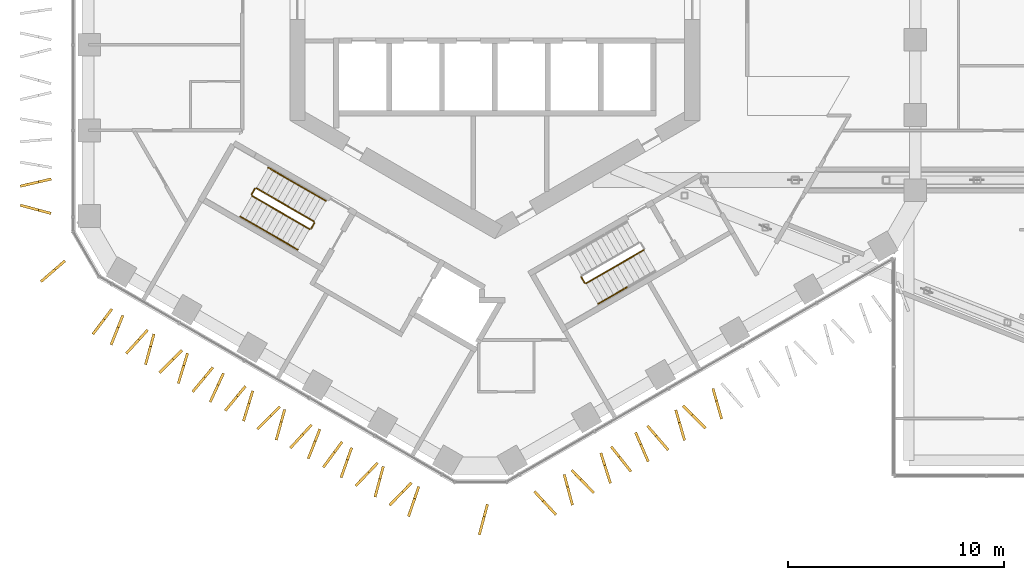
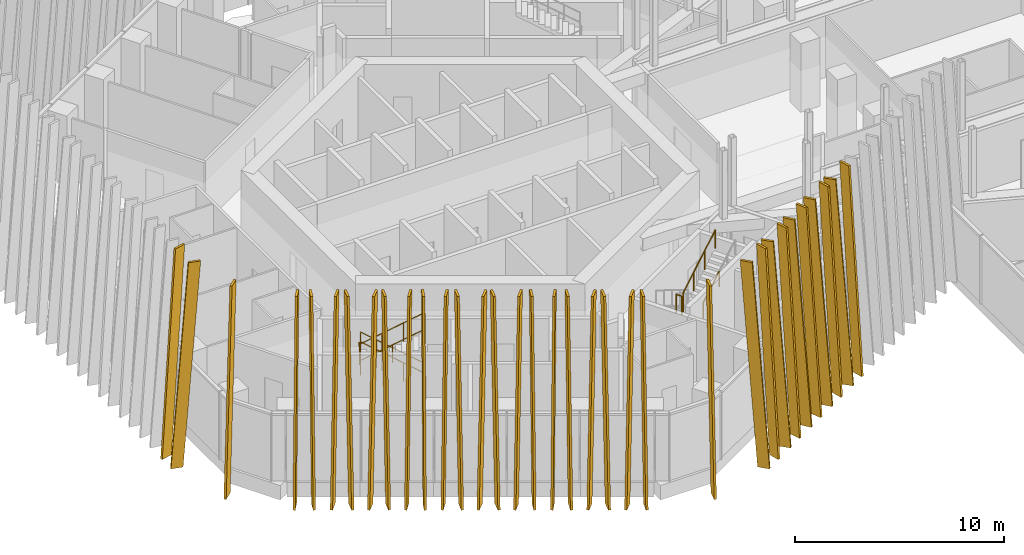
# One storey, part 25 of 28: 34 shading devices, 11 railings.
"""IFC4 building model written with IfcOpenShell, lengths in metres."""

from ifc_helpers import new_model, si_unit, direction, frame, origin, origin_2d, place, context, subcontext, project, spatial, polyline, circle, outline, extrude, material, layer, layer_set, type_object, element, save


model = new_model("IFC4")

# Units and contexts
model_context = context("Model", 3, precision=1e-05, world=origin(), true_north=direction((0.0, 1.0)))
body_context = subcontext(model_context, "Body", "Model", "MODEL_VIEW")
ifc_project = project(units=[si_unit("LENGTHUNIT", "METRE"), si_unit("AREAUNIT", "SQUARE_METRE"), si_unit("VOLUMEUNIT", "CUBIC_METRE"), si_unit("PLANEANGLEUNIT", "RADIAN"), si_unit("MASSUNIT", "GRAM", prefix="KILO")], contexts=[model_context])

# Site, building, storey
site_placement = place(None, origin())
site = spatial("IfcSite", under=ifc_project, at=site_placement, CompositionType="ELEMENT")
building_placement = place(site_placement, origin())
building = spatial("IfcBuilding", under=site, at=building_placement, Name="Ayvan Gate Tower", CompositionType="ELEMENT")
storey_placement = place(building_placement, frame((0.0, 0.0, 120.5)))
storey = spatial("IfcBuildingStorey", under=building, at=storey_placement, Name="L32", CompositionType="ELEMENT", Elevation=120.5)

# Shading devices
ifc_material_1 = material(Name="Bronze anodised aluminium", Category="aluminium")
ifc_layer = layer(ifc_material_1, 0.1201171875)
ifc_layer_set = layer_set([ifc_layer], Name="Bronze anodised aluminium")
shading_device_type = type_object("IfcShadingDeviceType", Name="Bronze fin 600 x 120", PredefinedType="USERDEFINED", material=ifc_layer_set)
shading_device_1_placement = place(storey_placement, frame((-21.419677734375, -8.337890625, 0.0), z_axis=(-0.227859842842, 0.973693935574, 0.000108839165), x_axis=(-0.973693941341, -0.227859844192, 0.0)))
element("IfcShadingDevice", 1, at=shading_device_1_placement, inside=storey, type_object=shading_device_type, Name="Bronze fin FG11.10.133", ObjectType="FIN", PredefinedType="USERDEFINED", context=body_context, shape_type="SweptSolid", body=[
    extrude(outline(polyline([(0.0, 0.0), (0.6000124790960213, 3.3881317890172014e-21), (-0.2712450634356124, 11.879882882864333), (-0.8712575425316337, 11.879882882864333), (0.0, 0.0)])), origin(), (0.0, 0.0, -1.0), 0.1201171875),
])
shading_device_2_placement = place(storey_placement, frame((-21.39306640625, -9.510498046875, 0.0), z_axis=(0.257156107751, 0.966369866946, 0.000128473028), x_axis=(-0.966369874921, 0.257156109874, 0.0)))
element("IfcShadingDevice", 2, at=shading_device_2_placement, inside=storey, type_object=shading_device_type, Name="Bronze fin FG11.10.134", ObjectType="FIN", PredefinedType="USERDEFINED", context=body_context, shape_type="SweptSolid", body=[
    extrude(outline(polyline([(0.0, 0.0), (0.6000124790960213, -3.3881317890172014e-21), (-0.2714854638362403, 11.87988291054063), (-0.8714979429322616, 11.87988291054063), (0.0, 0.0)])), origin(), (0.0, 0.0, -1.0), 0.1201171875),
])
shading_device_3_placement = place(storey_placement, frame((-20.620361328125, -12.51708984375, 0.0), z_axis=(-0.655936895439, 0.754815720247, 0.000132926868), x_axis=(-0.754815726916, -0.655936901234, 0.0)))
element("IfcShadingDevice", 3, at=shading_device_3_placement, inside=storey, type_object=shading_device_type, Name="Bronze fin FG11.11.135", ObjectType="FIN", PredefinedType="USERDEFINED", context=body_context, shape_type="SweptSolid", body=[
    extrude(outline(polyline([(0.0, 0.0), (0.5999886372602912, 6.776263578034403e-21), (-0.2712910093465573, 11.879882917456108), (-0.8712796466068484, 11.879882917456108), (0.0, 0.0)])), origin(), (0.0, 0.0, -1.0), 0.1201171875),
])
shading_device_4_placement = place(storey_placement, frame((-18.317138671875, -14.880126953125, 0.0), z_axis=(-0.799902334143, 0.600130184568, 0.00013191852), x_axis=(-0.60013018979, -0.799902341103, 0.0)))
element("IfcShadingDevice", 4, at=shading_device_4_placement, inside=storey, type_object=shading_device_type, Name="Bronze fin FG11.12.136", ObjectType="FIN", PredefinedType="USERDEFINED", context=body_context, shape_type="SweptSolid", body=[
    extrude(outline(polyline([(0.0, 0.0), (0.6000488360716393, 0.0), (-0.2712893211463244, 11.87988291586981), (-0.8713381572179637, 11.87988291586981), (0.0, 0.0)])), origin(), (0.0, 0.0, -1.0), 0.1201171875),
])
shading_device_5_placement = place(storey_placement, frame((-17.61767578125, -15.303466796875, 0.0), z_axis=(-0.928924985095, 0.370267952885, 0.000123011248), x_axis=(-0.370267955687, -0.928924992124, 0.0)))
element("IfcShadingDevice", 5, at=shading_device_5_placement, inside=storey, type_object=shading_device_type, Name="Bronze fin FG11.12.137", ObjectType="FIN", PredefinedType="USERDEFINED", context=body_context, shape_type="SweptSolid", body=[
    extrude(outline(polyline([(0.0, 0.0), (0.600019432786324, 6.776263578034403e-21), (-0.27128771469934787, 11.879882902381812), (-0.871307147485672, 11.879882902381812), (0.0, 0.0)])), origin(), (0.0, 0.0, -1.0), 0.1201171875),
])
shading_device_6_placement = place(storey_placement, frame((-16.720947265625, -15.80126953125, 0.0), z_axis=(-0.740556550004, 0.671994034248, 0.000119088677), x_axis=(-0.671994039015, -0.740556555254, -1.794e-08)))
element("IfcShadingDevice", 6, at=shading_device_6_placement, inside=storey, type_object=shading_device_type, Name="Bronze fin FG11.12.138", ObjectType="FIN", PredefinedType="USERDEFINED", context=body_context, shape_type="SweptSolid", body=[
    extrude(outline(polyline([(0.0, 0.0), (0.6000847370638143, 6.776263578034403e-21), (-0.27128520874522394, 11.879882891874024), (-0.871205884764357, 11.879882870345742), (0.0, 0.0)])), origin(), (0.0, 0.0, -1.0), 0.1201171875),
])
shading_device_7_placement = place(storey_placement, frame((-16.08642578125, -16.203369140625, 0.0), z_axis=(-0.964008792926, 0.26587032968, 0.000122303005), x_axis=(-0.265870331671, -0.964008800135, -1.7365e-08)))
element("IfcShadingDevice", 7, at=shading_device_7_placement, inside=storey, type_object=shading_device_type, Name="Bronze fin FG11.12.139", ObjectType="FIN", PredefinedType="USERDEFINED", context=body_context, shape_type="SweptSolid", body=[
    extrude(outline(polyline([(0.0, 0.0), (0.600239270808614, 0.0), (-0.2711311577484254, 11.879882896641714), (-0.8710701650971259, 11.879882875801119), (0.0, 0.0)])), origin(), (0.0, 0.0, -1.0), 0.1201171875),
])
shading_device_8_placement = place(storey_placement, frame((-15.15380859375, -16.707275390625, 0.0), z_axis=(-0.709036946795, 0.705171322121, 0.00012056715), x_axis=(-0.705171327248, -0.709036951947, -1.73e-08)))
element("IfcShadingDevice", 8, at=shading_device_8_placement, inside=storey, type_object=shading_device_type, Name="Bronze fin FG11.12.140", ObjectType="FIN", PredefinedType="USERDEFINED", context=body_context, shape_type="SweptSolid", body=[
    extrude(outline(polyline([(0.0, 0.0), (0.5999033887728731, 0.0), (-0.271377152839012, 11.879882894150695), (-0.8714536463364816, 11.879882873390743), (0.0, 0.0)])), origin(), (0.0, 0.0, -1.0), 0.1201171875),
])
shading_device_9_placement = place(storey_placement, frame((-14.552001953125, -17.085205078125, 0.0), z_axis=(-0.956562933013, 0.291525878989, 0.000130637285), x_axis=(-0.291525881474, -0.956562941176, 2.5424e-08)))
element("IfcShadingDevice", 9, at=shading_device_9_placement, inside=storey, type_object=shading_device_type, Name="Bronze fin FG11.12.141", ObjectType="FIN", PredefinedType="USERDEFINED", context=body_context, shape_type="SweptSolid", body=[
    extrude(outline(polyline([(0.0, 0.0), (0.6000029311131785, 3.3881317890172014e-21), (-0.27126845321303017, 11.879882920768267), (-0.8713425576371153, 11.879882951278569), (0.0, 0.0)])), origin(), (0.0, 0.0, -1.0), 0.1201171875),
])
shading_device_10_placement = place(storey_placement, frame((-13.669189453125, -17.563232421875, 0.0), z_axis=(-0.770501132157, 0.63743861818, 0.000115745292), x_axis=(-0.63743862245, -0.770501137319, 3.134e-09)))
element("IfcShadingDevice", 10, at=shading_device_10_placement, inside=storey, type_object=shading_device_type, Name="Bronze fin FG11.12.142", ObjectType="FIN", PredefinedType="USERDEFINED", context=body_context, shape_type="SweptSolid", body=[
    extrude(outline(polyline([(0.0, 0.0), (0.5998016444581427, 0.0), (-0.2714187147014453, 11.879882892927982), (-0.8715640944525002, 11.879882896689159), (0.0, 0.0)])), origin(), (0.0, 0.0, -1.0), 0.1201171875),
])
shading_device_11_placement = place(storey_placement, frame((-12.995361328125, -17.96630859375, 0.0), z_axis=(-0.90829258199, 0.41833547235, 0.000134442776), x_axis=(-0.418335476131, -0.908292590199, 0.0)))
element("IfcShadingDevice", 11, at=shading_device_11_placement, inside=storey, type_object=shading_device_type, Name="Bronze fin FG11.12.143", ObjectType="FIN", PredefinedType="USERDEFINED", context=body_context, shape_type="SweptSolid", body=[
    extrude(outline(polyline([(0.0, 0.0), (0.5999409010709572, 6.776263578034403e-21), (-0.27140787294629054, 11.879882919863611), (-0.8713487740172479, 11.879882919863611), (0.0, 0.0)])), origin(), (0.0, 0.0, -1.0), 0.1201171875),
])
shading_device_12_placement = place(storey_placement, frame((-12.15771484375, -18.435546875, 0.0), z_axis=(-0.770118624283, 0.63790068826, 0.000128259215), x_axis=(-0.637900693507, -0.770118630617, 0.0)))
element("IfcShadingDevice", 12, at=shading_device_12_placement, inside=storey, type_object=shading_device_type, Name="Bronze fin FG11.12.144", ObjectType="FIN", PredefinedType="USERDEFINED", context=body_context, shape_type="SweptSolid", body=[
    extrude(outline(polyline([(0.0, 0.0), (0.6001130017521523, 0.0), (-0.2710434934388406, 11.879882910214569), (-0.8711564951909928, 11.879882910214569), (0.0, 0.0)])), origin(), (0.0, 0.0, -1.0), 0.1201171875),
])
shading_device_13_placement = place(storey_placement, frame((-11.530029296875, -18.830078125, 0.0), z_axis=(-0.956676335932, 0.291153516954, 0.000133542044), x_axis=(-0.291153519547, -0.956676344463, 2.5995e-08)))
element("IfcShadingDevice", 13, at=shading_device_13_placement, inside=storey, type_object=shading_device_type, Name="Bronze fin FG11.12.145", ObjectType="FIN", PredefinedType="USERDEFINED", context=body_context, shape_type="SweptSolid", body=[
    extrude(outline(polyline([(0.0, 0.0), (0.5999318487082503, 6.776263578034403e-21), (-0.2715013853392833, 11.879882925487518), (-0.8715043164497667, 11.87988295667992), (0.0, 0.0)])), origin(), (0.0, 0.0, -1.0), 0.1201171875),
])
shading_device_14_placement = place(storey_placement, frame((-10.620849609375, -19.324462890625, 0.0), z_axis=(-0.708834021552, 0.705375302159, 0.000113994494), x_axis=(-0.705375306741, -0.708834026159, 1.6442e-08)))
element("IfcShadingDevice", 14, at=shading_device_14_placement, inside=storey, type_object=shading_device_type, Name="Bronze fin FG11.12.146", ObjectType="FIN", PredefinedType="USERDEFINED", context=body_context, shape_type="SweptSolid", body=[
    extrude(outline(polyline([(0.0, 0.0), (0.5999033887085509, -6.776263578034403e-21), (-0.2713771528681093, 11.879882894150033), (-0.8714527523449075, 11.879882913880202), (0.0, 0.0)])), origin(), (0.0, 0.0, -1.0), 0.1201171875),
])
shading_device_15_placement = place(storey_placement, frame((-10.0283203125, -19.701171875, 0.0), z_axis=(-0.964127338215, 0.265440121597, 0.00013248744), x_axis=(-0.265440123923, -0.964127346678, 2.5983e-08)))
element("IfcShadingDevice", 15, at=shading_device_15_placement, inside=storey, type_object=shading_device_type, Name="Bronze fin FG11.12.147", ObjectType="FIN", PredefinedType="USERDEFINED", context=body_context, shape_type="SweptSolid", body=[
    extrude(outline(polyline([(0.0, 0.0), (0.6001095635800526, 0.0), (-0.2711299674239415, 11.879882923808092), (-0.8713043357217488, 11.87988295499502), (0.0, 0.0)])), origin(), (0.0, 0.0, -1.0), 0.1201171875),
])
shading_device_16_placement = place(storey_placement, frame((-9.1220703125, -20.1884765625, 0.0), z_axis=(-0.738806884744, 0.673917183138, 0.000131630965), x_axis=(-0.673917188978, -0.738806891143, -1.9779e-08)))
element("IfcShadingDevice", 16, at=shading_device_16_placement, inside=storey, type_object=shading_device_type, Name="Bronze fin FG11.12.148", ObjectType="FIN", PredefinedType="USERDEFINED", context=body_context, shape_type="SweptSolid", body=[
    extrude(outline(polyline([(0.0, 0.0), (0.6001841055790404, -6.776263578034403e-21), (-0.2710759348002269, 11.879882910057916), (-0.8710955098155518, 11.879882886318528), (0.0, 0.0)])), origin(), (0.0, 0.0, -1.0), 0.1201171875),
])
shading_device_17_placement = place(storey_placement, frame((-8.48193359375, -20.578857421875, 0.0), z_axis=(-0.931173719392, 0.364575771281, 0.000106338948), x_axis=(-0.364575773343, -0.931173724657, -7.889e-09)))
element("IfcShadingDevice", 17, at=shading_device_17_placement, inside=storey, type_object=shading_device_type, Name="Bronze fin FG11.12.149", ObjectType="FIN", PredefinedType="USERDEFINED", context=body_context, shape_type="SweptSolid", body=[
    extrude(outline(polyline([(0.0, 0.0), (0.5998987731763312, 3.3881317890172014e-21), (-0.2713327413357752, 11.879882877528198), (-0.8714588518472278, 11.879882868061413), (0.0, 0.0)])), origin(), (0.0, 0.0, -1.0), 0.1201171875),
])
shading_device_18_placement = place(storey_placement, frame((-7.642333984375, -21.04345703125, 0.0), z_axis=(-0.805725258105, 0.592289451097, 0.000120708092), x_axis=(-0.592289455414, -0.805725263974, -1.9786e-08)))
element("IfcShadingDevice", 18, at=shading_device_18_placement, inside=storey, type_object=shading_device_type, Name="Bronze fin FG11.12.150", ObjectType="FIN", PredefinedType="USERDEFINED", context=body_context, shape_type="SweptSolid", body=[
    extrude(outline(polyline([(0.0, 0.0), (0.6000267260133264, 0.0), (-0.2713368669925317, 11.879882893678854), (-0.8712189910880325, 11.879882869937195), (0.0, 0.0)])), origin(), (0.0, 0.0, -1.0), 0.1201171875),
])
shading_device_19_placement = place(storey_placement, frame((-6.98193359375, -21.44921875, 0.0), z_axis=(-0.942918945697, 0.333022289991, 0.000127336791), x_axis=(-0.333022292692, -0.942918953341, -1.5795e-08)))
element("IfcShadingDevice", 19, at=shading_device_19_placement, inside=storey, type_object=shading_device_type, Name="Bronze fin FG11.12.151", ObjectType="FIN", PredefinedType="USERDEFINED", context=body_context, shape_type="SweptSolid", body=[
    extrude(outline(polyline([(0.0, 0.0), (0.6002029764550224, -3.3881317890172014e-21), (-0.2713648378506234, 11.879882904527893), (-0.8712563052123758, 11.879882885572295), (0.0, 0.0)])), origin(), (0.0, 0.0, -1.0), 0.1201171875),
])
shading_device_20_placement = place(storey_placement, frame((-6.078857421875, -21.946044921875, 0.0), z_axis=(-0.722995201373, 0.690853039917, 0.00012660741), x_axis=(-0.690853045454, -0.722995207168, 0.0)))
element("IfcShadingDevice", 20, at=shading_device_20_placement, inside=storey, type_object=shading_device_type, Name="Bronze fin FG11.12.152", ObjectType="FIN", PredefinedType="USERDEFINED", context=body_context, shape_type="SweptSolid", body=[
    extrude(outline(polyline([(0.0, 0.0), (0.6000563853313577, -6.776263578034403e-21), (-0.2712430960979449, 11.879882907713913), (-0.8712994814293027, 11.879882907713913), (0.0, 0.0)])), origin(), (0.0, 0.0, -1.0), 0.1201171875),
])
shading_device_21_placement = place(storey_placement, frame((-5.454345703125, -22.34326171875, 0.0), z_axis=(-0.965923519089, 0.258827620872, 0.000133956125), x_axis=(-0.258827623196, -0.965923527755, -7.056e-09)))
element("IfcShadingDevice", 21, at=shading_device_21_placement, inside=storey, type_object=shading_device_type, Name="Bronze fin FG11.12.153", ObjectType="FIN", PredefinedType="USERDEFINED", context=body_context, shape_type="SweptSolid", body=[
    extrude(outline(polyline([(0.0, 0.0), (0.5997927001258121, 0.0), (-0.2713783413907589, 11.879882917172809), (-0.8714068626903393, 11.879882908706412), (0.0, 0.0)])), origin(), (0.0, 0.0, -1.0), 0.1201171875),
])
shading_device_22_placement = place(storey_placement, frame((-4.5087890625, -22.852783203125, 0.0), z_axis=(-0.718306930962, 0.695726339249, 0.000117504562), x_axis=(-0.695726344054, -0.718306935919, -1.6633e-08)))
element("IfcShadingDevice", 22, at=shading_device_22_placement, inside=storey, type_object=shading_device_type, Name="Bronze fin FG11.12.154", ObjectType="FIN", PredefinedType="USERDEFINED", context=body_context, shape_type="SweptSolid", body=[
    extrude(outline(polyline([(0.0, 0.0), (0.5999765112864424, 0.0), (-0.2712196986836867, 11.879882890003506), (-0.8713715778744063, 11.879882870041843), (0.0, 0.0)])), origin(), (0.0, 0.0, -1.0), 0.1201171875),
])
shading_device_23_placement = place(storey_placement, frame((-3.86328125, -23.251220703125, 0.0), z_axis=(-0.946317980916, 0.323237160721, 0.000130092097), x_axis=(-0.32323716346, -0.946317988923, -2.5041e-08)))
element("IfcShadingDevice", 23, at=shading_device_23_placement, inside=storey, type_object=shading_device_type, Name="Bronze fin FG11.12.155", ObjectType="FIN", PredefinedType="USERDEFINED", context=body_context, shape_type="SweptSolid", body=[
    extrude(outline(polyline([(0.0, 0.0), (0.6001243132774523, -3.3881317890172014e-21), (-0.27115975428519934, 11.879882906237107), (-0.8712051522395415, 11.879882876183299), (0.0, 0.0)])), origin(), (0.0, 0.0, -1.0), 0.1201171875),
])
shading_device_24_placement = place(storey_placement, frame((-0.624267578125, -24.0947265625, 0.0), z_axis=(-0.966241687998, 0.257637316134, 0.000117092739), x_axis=(-0.2576373179, -0.966241694622, 0.0)))
element("IfcShadingDevice", 24, at=shading_device_24_placement, inside=storey, type_object=shading_device_type, Name="Bronze fin FG11.13.156", ObjectType="FIN", PredefinedType="USERDEFINED", context=body_context, shape_type="SweptSolid", body=[
    extrude(outline(polyline([(0.0, 0.0), (0.5998394055816573, 0.0), (-0.2714861902235887, 11.879882893940815), (-0.8713255958052459, 11.879882893940815), (0.0, 0.0)])), origin(), (0.0, 0.0, -1.0), 0.1201171875),
])
shading_device_25_placement = place(storey_placement, frame((2.382080078125, -23.357177734375, 0.0), z_axis=(-0.73276450117, -0.68048230328, 0.000144037526), x_axis=(0.680482310341, -0.73276450877, 2.1468e-08)))
element("IfcShadingDevice", 25, at=shading_device_25_placement, inside=storey, type_object=shading_device_type, Name="Bronze fin FG11.14.157", ObjectType="FIN", PredefinedType="USERDEFINED", context=body_context, shape_type="SweptSolid", body=[
    extrude(outline(polyline([(0.0, 0.0), (0.6001356898181901, -1.3552527156068805e-20), (-0.271283032981932, 11.879882941558861), (-0.8712525894235738, 11.87988296732326), (0.0, 0.0)])), origin(), (0.0, 0.0, -1.0), 0.1201171875),
])
shading_device_26_placement = place(storey_placement, frame((3.3828125, -22.749267578125, 0.0), z_axis=(-0.965063631904, -0.262015589775, 0.000130735888), x_axis=(0.262015592014, -0.965063640151, 0.0)))
element("IfcShadingDevice", 26, at=shading_device_26_placement, inside=storey, type_object=shading_device_type, Name="Bronze fin FG11.14.158", ObjectType="FIN", PredefinedType="USERDEFINED", context=body_context, shape_type="SweptSolid", body=[
    extrude(outline(polyline([(0.0, 0.0), (0.6000656727771618, -6.776263578034403e-21), (-0.27127753741362165, 11.879882914024723), (-0.8713432101907835, 11.879882914024723), (0.0, 0.0)])), origin(), (0.0, 0.0, -1.0), 0.1201171875),
])
shading_device_27_placement = place(storey_placement, frame((4.12451171875, -22.35595703125, 0.0), z_axis=(-0.711871688157, -0.702309536302, 0.000121735539), x_axis=(0.702309541504, -0.711871693434, -1.7392e-08)))
element("IfcShadingDevice", 27, at=shading_device_27_placement, inside=storey, type_object=shading_device_type, Name="Bronze fin FG11.14.159", ObjectType="FIN", PredefinedType="USERDEFINED", context=body_context, shape_type="SweptSolid", body=[
    extrude(outline(polyline([(0.0, 0.0), (0.6000883135120165, -6.776263578034403e-21), (-0.2712234000890714, 11.879882895810187), (-0.8711379168009331, 11.879882874940154), (0.0, 0.0)])), origin(), (0.0, 0.0, -1.0), 0.1201171875),
])
shading_device_28_placement = place(storey_placement, frame((5.118408203125, -21.746337890625, 0.0), z_axis=(-0.952928446719, -0.303195256377, 0.000109287355), x_axis=(0.303195258187, -0.95292845241, -6.741e-09)))
element("IfcShadingDevice", 28, at=shading_device_28_placement, inside=storey, type_object=shading_device_type, Name="Bronze fin FG11.14.160", ObjectType="FIN", PredefinedType="USERDEFINED", context=body_context, shape_type="SweptSolid", body=[
    extrude(outline(polyline([(0.0, 0.0), (0.6000094977768622, 0.0), (-0.2714155863665593, 11.879882881615337), (-0.8711924355954698, 11.879882873527206), (0.0, 0.0)])), origin(), (0.0, 0.0, -1.0), 0.1201171875),
])
shading_device_29_placement = place(storey_placement, frame((5.8876953125, -21.322509765625, 0.0), z_axis=(-0.782335204361, -0.622857617201, 0.000129272799), x_axis=(0.622857622405, -0.782335210898, 0.0)))
element("IfcShadingDevice", 29, at=shading_device_29_placement, inside=storey, type_object=shading_device_type, Name="Bronze fin FG11.14.161", ObjectType="FIN", PredefinedType="USERDEFINED", context=body_context, shape_type="SweptSolid", body=[
    extrude(outline(polyline([(0.0, 0.0), (0.6001039136866089, 0.0), (-0.271211383229209, 11.879882911765076), (-0.871315296915818, 11.879882911765076), (0.0, 0.0)])), origin(), (0.0, 0.0, -1.0), 0.1201171875),
])
shading_device_30_placement = place(storey_placement, frame((6.8134765625, -20.768310546875, 0.0), z_axis=(-0.916781926921, -0.399388131945, 0.000136132077), x_axis=(0.399388135643, -0.916781935417, -2.5394e-08)))
element("IfcShadingDevice", 30, at=shading_device_30_placement, inside=storey, type_object=shading_device_type, Name="Bronze fin FG11.14.162", ObjectType="FIN", PredefinedType="USERDEFINED", context=body_context, shape_type="SweptSolid", body=[
    extrude(outline(polyline([(0.0, 0.0), (0.5999290677639414, 0.0), (-0.2714561467519555, 11.879882915685211), (-0.8714827213849504, 11.87988288521315), (0.0, 0.0)])), origin(), (0.0, 0.0, -1.0), 0.1201171875),
])
shading_device_31_placement = place(storey_placement, frame((7.5966796875, -20.3408203125, 0.0), z_axis=(-0.758207316552, -0.652013536235, 0.000117019806), x_axis=(0.6520135407, -0.758207321743, 2.527e-09)))
element("IfcShadingDevice", 31, at=shading_device_31_placement, inside=storey, type_object=shading_device_type, Name="Bronze fin FG11.14.163", ObjectType="FIN", PredefinedType="USERDEFINED", context=body_context, shape_type="SweptSolid", body=[
    extrude(outline(polyline([(0.0, 0.0), (0.6002139046557653, 0.0), (-0.2712141163374243, 11.87988289452484), (-0.8710837287904449, 11.87988289755785), (0.0, 0.0)])), origin(), (0.0, 0.0, -1.0), 0.1201171875),
])
shading_device_32_placement = place(storey_placement, frame((8.568359375, -19.755126953125, 0.0), z_axis=(-0.960059226376, -0.279796828374, 0.000129156299), x_axis=(0.279796830704, -0.960059234385, -2.5234e-08)))
element("IfcShadingDevice", 32, at=shading_device_32_placement, inside=storey, type_object=shading_device_type, Name="Bronze fin FG11.14.164", ObjectType="FIN", PredefinedType="USERDEFINED", context=body_context, shape_type="SweptSolid", body=[
    extrude(outline(polyline([(0.0, 0.0), (0.5998535538593668, -3.3881317890172014e-21), (-0.27139711493825797, 11.879882904737931), (-0.8713189785707459, 11.879882874463332), (0.0, 0.0)])), origin(), (0.0, 0.0, -1.0), 0.1201171875),
])
shading_device_33_placement = place(storey_placement, frame((9.298583984375, -19.369873046875, 0.0), z_axis=(-0.707106775139, -0.707106775139, 0.000130784237), x_axis=(0.707106781187, -0.707106781187, 0.0)))
element("IfcShadingDevice", 33, at=shading_device_33_placement, inside=storey, type_object=shading_device_type, Name="Bronze fin FG11.14.165", ObjectType="FIN", PredefinedType="USERDEFINED", context=body_context, shape_type="SweptSolid", body=[
    extrude(outline(polyline([(0.0, 0.0), (0.600074016456162, 0.0), (-0.27120721514747714, 11.879882914099827), (-0.8712812316036391, 11.879882914099827), (0.0, 0.0)])), origin(), (0.0, 0.0, -1.0), 0.1201171875),
])
shading_device_34_placement = place(storey_placement, frame((10.28759765625, -18.7626953125, 0.0), z_axis=(-0.961891580335, -0.273431109131, 0.000127435819), x_axis=(0.273431111351, -0.961891588146, 0.0)))
element("IfcShadingDevice", 34, at=shading_device_34_placement, inside=storey, type_object=shading_device_type, Name="Bronze fin FG11.14.166", ObjectType="FIN", PredefinedType="USERDEFINED", context=body_context, shape_type="SweptSolid", body=[
    extrude(outline(polyline([(0.0, 0.0), (0.6000140188486778, -3.3881317890172014e-21), (-0.27140340871254565, 11.879882908963983), (-0.8714174275612233, 11.879882908963983), (0.0, 0.0)])), origin(), (0.0, 0.0, -1.0), 0.1201171875),
])

# Railings
ifc_material_2 = material(Name="Stainless steel balustrade", Category="steel")
railing_type_1 = type_object("IfcRailingType", Name="RL-GUARD-1100", PredefinedType="GUARDRAIL", material=ifc_material_2)
railing_1_placement = place(storey_placement, frame((-8.381103515625, -10.16650390625, 0.166748046875)))
element("IfcRailing", 35, at=railing_1_placement, inside=storey, type_object=railing_type_1, Name="L32 STS2 stair guard 1", PredefinedType="GUARDRAIL", context=body_context, shape_type="SweptSolid", body=[
    extrude(circle(Radius=0.02392578125, at=origin_2d()), frame((0.0, 0.0, 1.076171875), z_axis=(-0.744189839504, 0.429649414936, 0.511451721109), x_axis=(-0.499992328818, -0.866029832698, 0.0)), (0.0, 0.0, 1.0), 3.58447265625),
    extrude(circle(Radius=0.02099609375, at=origin_2d()), origin(), (0.0, 0.0, 1.0), 1.052001953125),
    extrude(circle(Radius=0.02099609375, at=origin_2d()), frame((-0.88916015625, 0.513427734375, 0.611083984375)), (0.0, 0.0, 1.0), 1.052001953125),
    extrude(circle(Radius=0.02099609375, at=origin_2d()), frame((-1.7783203125, 1.026611328125, 1.22216796875)), (0.0, 0.0, 1.0), 1.052001953125),
    extrude(circle(Radius=0.02099609375, at=origin_2d()), frame((-2.66748046875, 1.5400390625, 1.833251953125)), (0.0, 0.0, 1.0), 1.052001953125),
])
railing_2_placement = place(storey_placement, frame((-11.11669921875, -8.644775390625, 2.0)))
element("IfcRailing", 36, at=railing_2_placement, inside=storey, type_object=railing_type_1, Name="L32 STS2 stair guard 2", PredefinedType="GUARDRAIL", context=body_context, shape_type="SweptSolid", body=[
    extrude(circle(Radius=0.02392578125, at=origin_2d()), frame((0.0, 0.0, 1.076171875), z_axis=(-0.499949632511, -0.866054481515, 0.0), x_axis=(0.866054481515, -0.499949632511, 0.0)), (0.0, 0.0, 1.0), 0.31005859375),
    extrude(circle(Radius=0.02099609375, at=origin_2d()), origin(), (0.0, 0.0, 1.0), 1.052001953125),
    extrude(circle(Radius=0.02099609375, at=origin_2d()), frame((-0.155029296875, -0.2685546875, 0.0)), (0.0, 0.0, 1.0), 1.052001953125),
])
railing_3_placement = place(storey_placement, frame((-11.25341796875, -8.981689453125, 2.166748046875)))
element("IfcRailing", 37, at=railing_3_placement, inside=storey, type_object=railing_type_1, Name="L32 STS2 stair guard 3", PredefinedType="GUARDRAIL", context=body_context, shape_type="SweptSolid", body=[
    extrude(circle(Radius=0.02392578125, at=origin_2d()), frame((0.0, 0.0, 1.076171875), z_axis=(0.74418122563, -0.429615651263, 0.511492615401), x_axis=(0.499967199496, 0.866044340336, 0.0)), (0.0, 0.0, 1.0), 3.584228515625),
    extrude(circle(Radius=0.02099609375, at=origin_2d()), origin(), (0.0, 0.0, 1.0), 1.052001953125),
    extrude(circle(Radius=0.02099609375, at=origin_2d()), frame((0.88916015625, -0.51318359375, 0.611083984375)), (0.0, 0.0, 1.0), 1.052001953125),
    extrude(circle(Radius=0.02099609375, at=origin_2d()), frame((1.778076171875, -1.026611328125, 1.22216796875)), (0.0, 0.0, 1.0), 1.052001953125),
    extrude(circle(Radius=0.02099609375, at=origin_2d()), frame((2.667236328125, -1.539794921875, 1.833251953125)), (0.0, 0.0, 1.0), 1.052001953125),
])
railing_4_placement = place(storey_placement, frame((-8.36279296875, -10.23486328125, 0.0)))
element("IfcRailing", 38, at=railing_4_placement, inside=storey, type_object=railing_type_1, Name="L32 STS2 stair guard 4", PredefinedType="GUARDRAIL", context=body_context, shape_type="SweptSolid", body=[
    extrude(circle(Radius=0.02392578125, at=origin_2d()), frame((0.0, 0.0, 1.076171875), z_axis=(-0.500290723946, -0.86585748916, 0.0), x_axis=(0.86585748916, -0.500290723946, 0.0)), (0.0, 0.0, 1.0), 0.309814453125),
    extrude(circle(Radius=0.02099609375, at=origin_2d()), origin(), (0.0, 0.0, 1.0), 1.052001953125),
    extrude(circle(Radius=0.02099609375, at=origin_2d()), frame((-0.155029296875, -0.268310546875, 0.0)), (0.0, 0.0, 1.0), 1.052001953125),
])
railing_5_placement = place(storey_placement, frame((4.006591796875, -12.749755859375, 2.0)))
element("IfcRailing", 39, at=railing_5_placement, inside=storey, type_object=railing_type_1, Name="L32 STS3 stair guard 2", PredefinedType="GUARDRAIL", context=body_context, shape_type="SweptSolid", body=[
    extrude(circle(Radius=0.02392578125, at=origin_2d()), frame((0.0, 0.0, 1.076171875), z_axis=(0.499949632511, -0.866054481515, 0.0), x_axis=(0.866054481515, 0.499949632511, 0.0)), (0.0, 0.0, 1.0), 0.31005859375),
    extrude(circle(Radius=0.02099609375, at=origin_2d()), origin(), (0.0, 0.0, 1.0), 1.052001953125),
    extrude(circle(Radius=0.02099609375, at=origin_2d()), frame((0.155029296875, -0.2685546875, 0.0)), (0.0, 0.0, 1.0), 1.052001953125),
])
railing_6_placement = place(storey_placement, frame((4.22998046875, -13.03662109375, 2.166748046875)))
element("IfcRailing", 40, at=railing_6_placement, inside=storey, type_object=railing_type_1, Name="L32 STS3 stair guard 3", PredefinedType="GUARDRAIL", context=body_context, shape_type="SweptSolid", body=[
    extrude(circle(Radius=0.02392578125, at=origin_2d()), frame((0.0, 0.0, 1.076171875), z_axis=(0.744189839504, 0.429649414936, 0.511451721109), x_axis=(-0.499992328818, 0.866029832698, 0.0)), (0.0, 0.0, 1.0), 3.58447265625),
    extrude(circle(Radius=0.02099609375, at=origin_2d()), origin(), (0.0, 0.0, 1.0), 1.052001953125),
    extrude(circle(Radius=0.02099609375, at=origin_2d()), frame((0.88916015625, 0.513427734375, 0.611083984375)), (0.0, 0.0, 1.0), 1.052001953125),
    extrude(circle(Radius=0.02099609375, at=origin_2d()), frame((1.7783203125, 1.026611328125, 1.22216796875)), (0.0, 0.0, 1.0), 1.052001953125),
    extrude(circle(Radius=0.02099609375, at=origin_2d()), frame((2.66748046875, 1.5400390625, 1.833251953125)), (0.0, 0.0, 1.0), 1.052001953125),
])
railing_type_2 = type_object("IfcRailingType", Name="RL-HANDRAIL-900", PredefinedType="HANDRAIL", material=ifc_material_2)
railing_7_placement = place(storey_placement, frame((-7.8310546875, -9.2138671875, 0.166748046875)))
element("IfcRailing", 41, at=railing_7_placement, inside=storey, type_object=railing_type_2, Name="L32 STS2 stair handrail 1", PredefinedType="HANDRAIL", context=body_context, shape_type="SweptSolid", body=[
    extrude(circle(Radius=0.02392578125, at=origin_2d()), frame((0.0, 0.0, 0.8759765625), z_axis=(-0.744215763664, 0.42966438195, 0.511401423539), x_axis=(-0.499992328818, -0.866029832698, 0.0)), (0.0, 0.0, 1.0), 1.792236328125),
    extrude(circle(Radius=0.02099609375, at=origin_2d()), origin(), (0.0, 0.0, 1.0), 0.851806640625),
    extrude(circle(Radius=0.02099609375, at=origin_2d()), frame((-0.6669921875, 0.385009765625, 0.458251953125)), (0.0, 0.0, 1.0), 0.851806640625),
    extrude(circle(Radius=0.02099609375, at=origin_2d()), frame((-1.333740234375, 0.77001953125, 0.91650390625)), (0.0, 0.0, 1.0), 0.851806640625),
])
railing_8_placement = place(storey_placement, frame((-9.164794921875, -8.44384765625, 1.083251953125)))
element("IfcRailing", 42, at=railing_8_placement, inside=storey, type_object=railing_type_2, Name="L32 STS2 stair handrail 2", PredefinedType="HANDRAIL", context=body_context, shape_type="SweptSolid", body=[
    extrude(circle(Radius=0.02392578125, at=origin_2d()), frame((0.0, 0.0, 0.8759765625), z_axis=(-0.7441639146, 0.429634447492, 0.511502013422), x_axis=(-0.499992328818, -0.866029832698, 0.0)), (0.0, 0.0, 1.0), 1.792236328125),
    extrude(circle(Radius=0.02099609375, at=origin_2d()), origin(), (0.0, 0.0, 1.0), 0.851806640625),
    extrude(circle(Radius=0.02099609375, at=origin_2d()), frame((-0.6669921875, 0.385009765625, 0.45849609375)), (0.0, 0.0, 1.0), 0.851806640625),
    extrude(circle(Radius=0.02099609375, at=origin_2d()), frame((-1.333740234375, 0.77001953125, 0.916748046875)), (0.0, 0.0, 1.0), 0.851806640625),
])
railing_9_placement = place(storey_placement, frame((-11.803466796875, -9.93408203125, 2.166748046875)))
element("IfcRailing", 43, at=railing_9_placement, inside=storey, type_object=railing_type_2, Name="L32 STS2 stair handrail 3", PredefinedType="HANDRAIL", context=body_context, shape_type="SweptSolid", body=[
    extrude(circle(Radius=0.02392578125, at=origin_2d()), frame((0.0, 0.0, 0.8759765625), z_axis=(0.744215763664, -0.42966438195, 0.511401423539), x_axis=(0.499992328818, 0.866029832698, 0.0)), (0.0, 0.0, 1.0), 1.792236328125),
    extrude(circle(Radius=0.02099609375, at=origin_2d()), origin(), (0.0, 0.0, 1.0), 0.851806640625),
    extrude(circle(Radius=0.02099609375, at=origin_2d()), frame((0.6669921875, -0.385009765625, 0.458251953125)), (0.0, 0.0, 1.0), 0.851806640625),
    extrude(circle(Radius=0.02099609375, at=origin_2d()), frame((1.333740234375, -0.77001953125, 0.91650390625)), (0.0, 0.0, 1.0), 0.851806640625),
])
railing_10_placement = place(storey_placement, frame((-10.4697265625, -10.7041015625, 3.083251953125)))
element("IfcRailing", 44, at=railing_10_placement, inside=storey, type_object=railing_type_2, Name="L32 STS2 stair handrail 4", PredefinedType="HANDRAIL", context=body_context, shape_type="SweptSolid", body=[
    extrude(circle(Radius=0.02392578125, at=origin_2d()), frame((0.0, 0.0, 0.8759765625), z_axis=(0.7441639146, -0.429634447492, 0.511502013422), x_axis=(0.499992328818, 0.866029832698, 0.0)), (0.0, 0.0, 1.0), 1.792236328125),
    extrude(circle(Radius=0.02099609375, at=origin_2d()), origin(), (0.0, 0.0, 1.0), 0.851806640625),
    extrude(circle(Radius=0.02099609375, at=origin_2d()), frame((0.6669921875, -0.385009765625, 0.45849609375)), (0.0, 0.0, 1.0), 0.851806640625),
    extrude(circle(Radius=0.02099609375, at=origin_2d()), frame((1.333740234375, -0.77001953125, 0.916748046875)), (0.0, 0.0, 1.0), 0.851806640625),
])
railing_11_placement = place(storey_placement, frame((4.780029296875, -13.9892578125, 2.166748046875)))
element("IfcRailing", 45, at=railing_11_placement, inside=storey, type_object=railing_type_2, Name="L32 STS3 stair handrail 3", PredefinedType="HANDRAIL", context=body_context, shape_type="SweptSolid", body=[
    extrude(circle(Radius=0.02392578125, at=origin_2d()), frame((0.0, 0.0, 0.8759765625), z_axis=(0.744215763664, 0.42966438195, 0.511401423539), x_axis=(-0.499992328818, 0.866029832698, 0.0)), (0.0, 0.0, 1.0), 1.792236328125),
    extrude(circle(Radius=0.02099609375, at=origin_2d()), origin(), (0.0, 0.0, 1.0), 0.851806640625),
    extrude(circle(Radius=0.02099609375, at=origin_2d()), frame((0.6669921875, 0.385009765625, 0.458251953125)), (0.0, 0.0, 1.0), 0.851806640625),
    extrude(circle(Radius=0.02099609375, at=origin_2d()), frame((1.333740234375, 0.77001953125, 0.91650390625)), (0.0, 0.0, 1.0), 0.851806640625),
])

save(model, "model.ifc")
